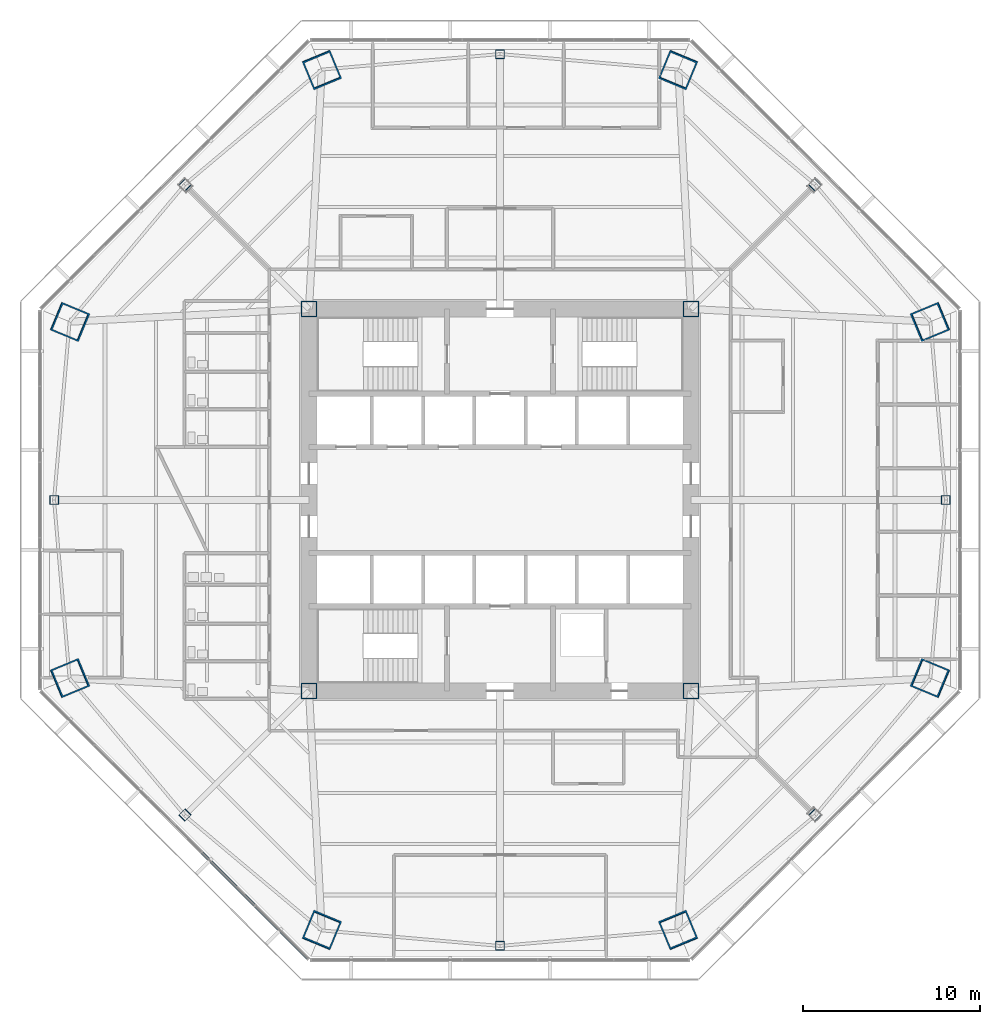
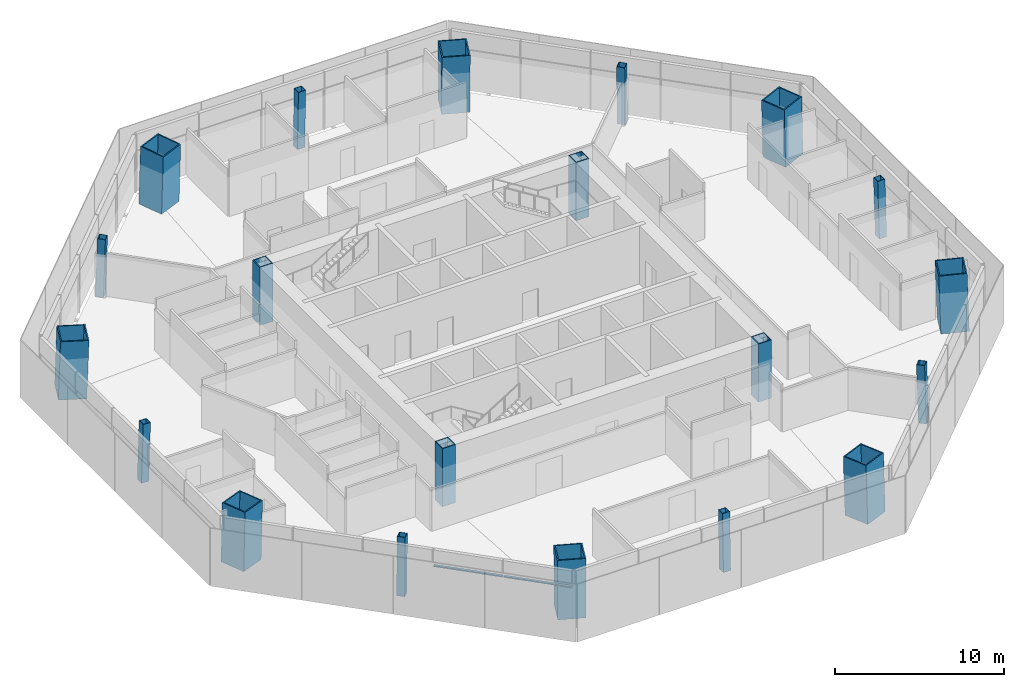
# One storey, part 1 of 15: 20 columns, 2 members, 1 element without a shape of its own.
"""IFC4 building model written with IfcOpenShell, lengths in metres."""

import ifcopenshell
import ifcopenshell.guid

model = None  # the IFC model being written
_history = None  # IfcOwnerHistory: only IFC2X3 demands one
_inside = {}  # id of a spatial element -> (the spatial element, [elements in it])
_under = {}  # id of a project, library or spatial element -> (it, [spatial elements below it])
_declared = {}  # id of a project -> (the project, [libraries it declares])
_typed = {}  # id of a type object -> (the type object, [elements of that type])
_made_of = {}  # id of a material, layer set ... -> (it, [elements and type objects made of it])


def new_model(schema):
    """Start an empty IFC model of exactly this schema.

    Asked for "IFC4X3", IfcOpenShell would pick the latest addendum, in which some entities
    have other attributes; the version numbers below select the first issue.
    IFC2X3 requires an IfcOwnerHistory on every rooted entity: one is made here for all.
    """
    global model, _history
    if schema == "IFC4X3":
        model = ifcopenshell.file(schema_version=(4, 3, 0, 0))
    else:
        model = ifcopenshell.file(schema=schema)
    _inside.clear()
    _under.clear()
    _declared.clear()
    _typed.clear()
    _made_of.clear()
    _history = None
    if model.schema == "IFC2X3":
        org = make("IfcOrganization", Name="unknown")
        user = make(
            "IfcPersonAndOrganization",
            ThePerson=make("IfcPerson", FamilyName="unknown"),
            TheOrganization=org,
        )
        app = make(
            "IfcApplication",
            ApplicationDeveloper=org,
            Version="unknown",
            ApplicationFullName="unknown",
            ApplicationIdentifier="unknown",
        )
        _history = make(
            "IfcOwnerHistory",
            OwningUser=user,
            OwningApplication=app,
            ChangeAction="ADDED",
            CreationDate=0,
        )
    return model


def make(cls, **values):
    """One entity of the class cls with the attributes given. An attribute that is None is left unset."""
    return model.create_entity(
        cls, **{name: value for name, value in values.items() if value is not None}
    )


def rooted(cls, **values):
    """An entity with a GlobalId (a new one), such as an element, a storey or a relation."""
    return make(cls, GlobalId=ifcopenshell.guid.new(), OwnerHistory=_history, **values)


def si_unit(unit_type, name, prefix=None):
    """IfcSIUnit, for example si_unit("LENGTHUNIT", "METRE", prefix="MILLI")."""
    return make("IfcSIUnit", UnitType=unit_type, Prefix=prefix, Name=name)


def assignment(units):
    """IfcUnitAssignment: the units of a project."""
    return None if units is None else make("IfcUnitAssignment", Units=units)


def point(xyz):
    """IfcCartesianPoint."""
    return None if xyz is None else make("IfcCartesianPoint", Coordinates=xyz)


def direction(xyz):
    """IfcDirection."""
    return None if xyz is None else make("IfcDirection", DirectionRatios=xyz)


def frame(location, z_axis=None, x_axis=None):
    """IfcAxis2Placement3D, a coordinate frame: its origin and axes. An axis left out is left unset."""
    return make(
        "IfcAxis2Placement3D",
        Location=point(location),
        Axis=direction(z_axis),
        RefDirection=direction(x_axis),
    )


def frame_2d(location, x_axis=None):
    """IfcAxis2Placement2D, a coordinate frame in the plane: its origin and x axis."""
    return make(
        "IfcAxis2Placement2D", Location=point(location), RefDirection=direction(x_axis)
    )


def origin():
    """The frame at (0, 0, 0) with its axes left unset."""
    return frame((0.0, 0.0, 0.0))


def origin_2d():
    """The frame at (0, 0) in the plane with its x axis left unset."""
    return frame_2d((0.0, 0.0))


def place(relative_to, where):
    """IfcLocalPlacement: puts the frame where relative to a parent placement (None: the world)."""
    return make(
        "IfcLocalPlacement", PlacementRelTo=relative_to, RelativePlacement=where
    )


def context(
    kind, dimensions, precision=None, world=None, true_north=None, identifier=None
):
    """IfcGeometricRepresentationContext, for example the 3D "Model" context."""
    return make(
        "IfcGeometricRepresentationContext",
        ContextIdentifier=identifier,
        ContextType=kind,
        CoordinateSpaceDimension=dimensions,
        Precision=precision,
        WorldCoordinateSystem=world,
        TrueNorth=true_north,
    )


def subcontext(parent, identifier, kind, view, scale=None):
    """IfcGeometricRepresentationSubContext, for example "Body" below "Model"."""
    return make(
        "IfcGeometricRepresentationSubContext",
        ContextIdentifier=identifier,
        ContextType=kind,
        ParentContext=parent,
        TargetScale=scale,
        TargetView=view,
    )


def project(units=None, contexts=None):
    """IfcProject with its units and contexts."""
    return rooted(
        "IfcProject",
        Name="project",
        RepresentationContexts=contexts,
        UnitsInContext=assignment(units),
    )


def spatial(cls, under=None, at=None, **own):
    """A site, building, storey or space (cls), placed at a placement, below another one or the project."""
    s = rooted(cls, ObjectPlacement=at, **own)
    if under is not None:
        _under.setdefault(under.id(), (under, []))[1].append(s)
    return s


def profile(cls, at=None, kind="AREA", **sizes):
    """A parametric profile (cls). Its sizes go by their IFC names, for example OverallWidth=200.0."""
    return make(cls, ProfileType=kind, Position=at, **sizes)


def rectangle(**sizes):
    """IfcRectangleProfileDef."""
    return profile("IfcRectangleProfileDef", **sizes)


def hollow_rectangle(**sizes):
    """IfcRectangleHollowProfileDef."""
    return profile("IfcRectangleHollowProfileDef", **sizes)


def extrude(swept, where, along, depth):
    """IfcExtrudedAreaSolid: the profile swept, set in the frame where, extruded along a direction by depth."""
    return make(
        "IfcExtrudedAreaSolid",
        SweptArea=swept,
        Position=where,
        ExtrudedDirection=direction(along),
        Depth=depth,
    )


def shape(context_of_items, identifier, shape_type, items):
    """IfcShapeRepresentation: the items that make up one representation, for example the "Body"."""
    return make(
        "IfcShapeRepresentation",
        ContextOfItems=context_of_items,
        RepresentationIdentifier=identifier,
        RepresentationType=shape_type,
        Items=items,
    )


def source(mapping_origin, context_of_items, identifier, shape_type, items):
    """IfcRepresentationMap: a shape defined once, which mapped items show again and again."""
    return make(
        "IfcRepresentationMap",
        MappingOrigin=mapping_origin,
        MappedRepresentation=shape(context_of_items, identifier, shape_type, items),
    )


def transform(
    local_origin,
    x_axis=None,
    y_axis=None,
    z_axis=None,
    scale=None,
    scale2=None,
    scale3=None,
    uniform=True,
):
    """IfcCartesianTransformationOperator3D, or its non-uniform kind. x_axis, y_axis, z_axis: its Axis1, 2, 3."""
    if uniform:
        return make(
            "IfcCartesianTransformationOperator3D",
            Axis1=direction(x_axis),
            Axis2=direction(y_axis),
            LocalOrigin=point(local_origin),
            Scale=scale,
            Axis3=direction(z_axis),
        )
    return make(
        "IfcCartesianTransformationOperator3DnonUniform",
        Axis1=direction(x_axis),
        Axis2=direction(y_axis),
        LocalOrigin=point(local_origin),
        Scale=scale,
        Axis3=direction(z_axis),
        Scale2=scale2,
        Scale3=scale3,
    )


def mapped(mapping_source, mapping_target):
    """IfcMappedItem: shows the shape of a source again, moved by a transform."""
    return make(
        "IfcMappedItem", MappingSource=mapping_source, MappingTarget=mapping_target
    )


def material(Name=None, Category=None):
    """IfcMaterial."""
    return make("IfcMaterial", Name=Name, Category=Category)


def material_profile(
    of_material, cross_section, Name=None, Category=None, Priority=None
):
    """IfcMaterialProfile: a cross section and its material."""
    return make(
        "IfcMaterialProfile",
        Name=Name,
        Material=of_material,
        Profile=cross_section,
        Priority=Priority,
        Category=Category,
    )


def profile_set(profiles, Name=None, composite=None):
    """IfcMaterialProfileSet."""
    return make(
        "IfcMaterialProfileSet",
        Name=Name,
        MaterialProfiles=profiles,
        CompositeProfile=composite,
    )


def made_of(thing, what):
    """Note that an element or type object is made of a material, layer set ...; save() writes the relation."""
    if what is not None:
        _made_of.setdefault(what.id(), (what, []))[1].append(thing)
    return thing


def type_object(cls, material=None, **own):
    """A type object (cls), such as IfcWallType, which elements share."""
    return made_of(rooted(cls, **own), material)


def type_shapes(of_type, sources):
    """Give a type object the sources (RepresentationMaps) that its elements show as mapped items."""
    of_type.RepresentationMaps = sources


def element(
    cls,
    number,
    at=None,
    inside=None,
    cuts=None,
    type_object=None,
    material=None,
    context=None,
    identifier="Body",
    shape_type=None,
    held_by="IfcProductDefinitionShape",
    body=None,
    shapes=None,
    **own,
):
    """One element of the class cls, such as IfcWall. Its Tag is "e" and its number.

    at: its placement. inside: the storey or other place that contains it. cuts: it is an
    opening in that element (IfcRelVoidsElement). A single representation is given by context,
    identifier, shape_type and body (its items); several are given by shapes. held_by: the class
    of the entity that holds the representations. save() writes the other relations.
    """
    e = rooted(cls, Tag="e%d" % number, ObjectPlacement=at, **own)
    if body is not None:
        shapes = [shape(context, identifier, shape_type, body)]
    if shapes is not None:
        e.Representation = make(held_by, Representations=shapes)
    if inside is not None:
        _inside.setdefault(inside.id(), (inside, []))[1].append(e)
    if cuts is not None:
        rooted(
            "IfcRelVoidsElement", RelatingBuildingElement=cuts, RelatedOpeningElement=e
        )
    if type_object is not None:
        _typed.setdefault(type_object.id(), (type_object, []))[1].append(e)
    return made_of(e, material)


def aggregate(whole, parts):
    """IfcRelAggregates: a whole, such as a stair, and the parts it consists of."""
    return rooted("IfcRelAggregates", RelatingObject=whole, RelatedObjects=parts)


def save(model, path):
    """Write the relations noted so far, then the file.

    IfcRelAggregates (storeys below a building ...), IfcRelContainedInSpatialStructure (elements
    in a storey), IfcRelDefinesByType, IfcRelAssociatesMaterial and IfcRelDeclares: one each for
    every whole, place, type object, material and project.
    """
    for whole, parts in _under.values():
        aggregate(whole, parts)
    for where, things in _inside.values():
        rooted(
            "IfcRelContainedInSpatialStructure",
            RelatedElements=things,
            RelatingStructure=where,
        )
    for kind, things in _typed.values():
        rooted("IfcRelDefinesByType", RelatedObjects=things, RelatingType=kind)
    for what, things in _made_of.values():
        rooted("IfcRelAssociatesMaterial", RelatedObjects=things, RelatingMaterial=what)
    for by, libraries in _declared.values():
        rooted("IfcRelDeclares", RelatingContext=by, RelatedDefinitions=libraries)
    model.write(path)


model = new_model("IFC4")

# Units and contexts
model_context = context("Model", 3, precision=1e-05, world=origin(), true_north=direction((0.0, 1.0)))
body_context = subcontext(model_context, "Body", "Model", "MODEL_VIEW")
ifc_project = project(units=[si_unit("LENGTHUNIT", "METRE"), si_unit("AREAUNIT", "SQUARE_METRE"), si_unit("VOLUMEUNIT", "CUBIC_METRE"), si_unit("PLANEANGLEUNIT", "RADIAN"), si_unit("MASSUNIT", "GRAM", prefix="KILO")], contexts=[model_context])

# Site, building, storey
site_placement = place(None, origin())
site = spatial("IfcSite", under=ifc_project, at=site_placement, CompositionType="ELEMENT")
building_placement = place(site_placement, origin())
building = spatial("IfcBuilding", under=site, at=building_placement, Name="Mashrafa Tower", CompositionType="ELEMENT")
storey_placement = place(building_placement, frame((0.0, 0.0, 70.800048828125)))
storey = spatial("IfcBuildingStorey", under=building, at=storey_placement, Name="L15", CompositionType="ELEMENT", Elevation=70.800048828125)

# Columns
ifc_material_1 = material(Name="Steel ASTM A572 Gr 50", Category="steel")
ifc_material_profile_1 = material_profile(ifc_material_1, hollow_rectangle(XDim=0.89990234375, YDim=0.89990234375, WallThickness=0.06005859375, at=origin_2d()), Name="BOX900X900X60")
ifc_profile_set_1 = profile_set([ifc_material_profile_1], Name="Steel ASTM A572 Gr 50")
column_type_1 = type_object("IfcColumnType", Name="Core corner column BOX900X900X60", PredefinedType="COLUMN", material=ifc_profile_set_1)
for number, where, z_axis, x_axis, name in (
    (1, (10.800048828125, 10.800048828125, 0.0), (0.0, 0.0, 1.0), (1.0, 0.0, 0.0), "Core corner column CC-NE L15"),
    (2, (-10.800048828125, 10.800048828125, 0.0), (0.0, 0.0, 1.0), (1.0, 0.0, 0.0), "Core corner column CC-NW L15"),
    (3, (-10.800048828125, -10.800048828125, 0.0), (0.0, 0.0, 1.0), (1.0, 0.0, 0.0), "Core corner column CC-SW L15"),
    (4, (10.800048828125, -10.800048828125, 0.0), (0.0, 0.0, 1.0), (1.0, 0.0, 0.0), "Core corner column CC-SE L15"),
):
    element("IfcColumn", number, at=place(storey_placement, frame(where, z_axis=z_axis, x_axis=x_axis)), inside=storey, type_object=column_type_1, Name=name, PredefinedType="COLUMN", context=body_context, shape_type="SweptSolid", body=[
        extrude(hollow_rectangle(XDim=0.89990234375, YDim=0.89990234375, WallThickness=0.06005859375, at=origin_2d()), origin(), (0.0, 0.0, 1.0), 4.199951171875),
    ])
ifc_material_2 = material(Name="Steel ASTM A572 Gr 50", Category="steel")
ifc_material_profile_2 = material_profile(ifc_material_2, hollow_rectangle(XDim=1.699951171875, YDim=1.699951171875, WallThickness=0.080078125, at=origin_2d()), Name="BOX1700X1700X80")
ifc_profile_set_2 = profile_set([ifc_material_profile_2], Name="Steel ASTM A572 Gr 50")
column_type_2 = type_object("IfcColumnType", Name="Mega column CFST BOX1700X1700X80", PredefinedType="COLUMN", material=ifc_profile_set_2)
for number, where, z_axis, x_axis, name in (
    (5, (24.333740234375, 10.079345703125, 0.0), (-0.028295730207, -0.011736627314, 0.99953069149), (0.383133442967, -0.923693003589, 0.0), "Mega column MC1 L15"),
    (6, (10.079345703125, 24.333740234375, 0.0), (-0.011736627314, -0.028295730207, 0.99953069149), (0.923693003589, -0.383133442967, 0.0), "Mega column MC2 L15"),
    (7, (-10.079345703125, 24.333740234375, 0.0), (0.011736627314, -0.028295730207, 0.99953069149), (0.923693003589, 0.383133442967, 0.0), "Mega column MC3 L15"),
    (8, (-24.333740234375, 10.079345703125, 0.0), (0.028295730207, -0.011736627314, 0.99953069149), (0.383133442967, 0.923693003589, 0.0), "Mega column MC4 L15"),
    (9, (-24.333740234375, -10.079345703125, 0.0), (0.028295730207, 0.011736627314, 0.99953069149), (-0.383133442967, 0.923693003589, 0.0), "Mega column MC5 L15"),
    (10, (-10.079345703125, -24.333740234375, 0.0), (0.011736627314, 0.028295730207, 0.99953069149), (-0.923693003589, 0.383133442967, 0.0), "Mega column MC6 L15"),
    (11, (10.079345703125, -24.333740234375, 0.0), (-0.011736627314, 0.028295730207, 0.99953069149), (-0.923693003589, -0.383133442967, 0.0), "Mega column MC7 L15"),
    (12, (24.333740234375, -10.079345703125, 0.0), (-0.028295730207, 0.011736627314, 0.99953069149), (-0.383133442967, -0.923693003589, 0.0), "Mega column MC8 L15"),
):
    element("IfcColumn", number, at=place(storey_placement, frame(where, z_axis=z_axis, x_axis=x_axis)), inside=storey, type_object=column_type_2, Name=name, PredefinedType="COLUMN", context=body_context, shape_type="SweptSolid", body=[
        extrude(hollow_rectangle(XDim=1.699951171875, YDim=1.699951171875, WallThickness=0.080078125, at=origin_2d()), origin(), (0.0, 0.0, 1.0), 4.201904296875),
    ])
ifc_material_3 = material(Name="Steel ASTM A572 Gr 50", Category="steel")
ifc_material_profile_3 = material_profile(ifc_material_3, hollow_rectangle(XDim=0.5, YDim=0.5, WallThickness=0.02490234375, at=origin_2d()), Name="BOX500X500X25")
ifc_profile_set_3 = profile_set([ifc_material_profile_3], Name="Steel ASTM A572 Gr 50")
column_type_3 = type_object("IfcColumnType", Name="Secondary column BOX500X500X25", PredefinedType="COLUMN", material=ifc_profile_set_3)
for number, where, z_axis, x_axis, name in (
    (13, (25.2119140625, 0.0, 0.0), (-0.028297679255, 0.0, 0.99959954049), (0.0, -1.0, 0.0), "Secondary column SC1 L15"),
    (14, (17.827392578125, 17.827392578125, 0.0), (-0.019988521213, -0.019988521213, 0.999600379171), (0.707106781187, -0.707106781187, 0.0), "Secondary column SC2 L15"),
    (15, (0.0, 25.2119140625, 0.0), (0.0, -0.028297679255, 0.99959954049), (1.0, 0.0, 0.0), "Secondary column SC3 L15"),
    (16, (-17.827392578125, 17.827392578125, 0.0), (0.019988521213, -0.019988521213, 0.999600379171), (0.707106781187, 0.707106781187, 0.0), "Secondary column SC4 L15"),
    (17, (-25.2119140625, 0.0, 0.0), (0.028297679255, 0.0, 0.99959954049), (0.0, 1.0, 0.0), "Secondary column SC5 L15"),
    (18, (-17.827392578125, -17.827392578125, 0.0), (0.019988521213, 0.019988521213, 0.999600379171), (-0.707106781187, 0.707106781187, 0.0), "Secondary column SC6 L15"),
    (19, (0.0, -25.2119140625, 0.0), (0.0, 0.028297679255, 0.99959954049), (-1.0, 0.0, 0.0), "Secondary column SC7 L15"),
    (20, (17.827392578125, -17.827392578125, 0.0), (-0.019988521213, 0.019988521213, 0.999600379171), (-0.707106781187, -0.707106781187, 0.0), "Secondary column SC8 L15"),
):
    element("IfcColumn", number, at=place(storey_placement, frame(where, z_axis=z_axis, x_axis=x_axis)), inside=storey, type_object=column_type_3, Name=name, PredefinedType="COLUMN", context=body_context, shape_type="SweptSolid", body=[
        extrude(hollow_rectangle(XDim=0.5, YDim=0.5, WallThickness=0.02490234375, at=origin_2d()), origin(), (0.0, 0.0, 1.0), 4.20166015625),
    ])

# Curtain wall, members
ifc_material_4 = material(Name="Unitised aluminium curtain wall", Category="aluminium")
curtain_wall_type = type_object("IfcCurtainWallType", Name="Office curtain wall, zone 1 CW-A 200 deep", PredefinedType="NOTDEFINED", material=ifc_material_4)
curtain_wall_placement = place(storey_placement, origin())
curtain_wall = element("IfcCurtainWall", 21, at=curtain_wall_placement, inside=storey, type_object=curtain_wall_type, Name="Office curtain wall, zone 1 L15 south-west", PredefinedType="NOTDEFINED")
ifc_material_5 = material(Name="Extruded aluminium transom", Category="aluminium")
ifc_material_profile_4 = material_profile(ifc_material_5, rectangle(XDim=0.159912109375, YDim=0.080078125, at=origin_2d()), Name="Transom 80x160")
ifc_profile_set_4 = profile_set([ifc_material_profile_4], Name="Extruded aluminium transom")
member_type = type_object("IfcMemberType", Name="Transom CW-A 80 x 160", PredefinedType="MULLION", material=ifc_profile_set_4)
shared_shape_1 = source(origin(), body_context, "Body", "SweptSolid", [
    extrude(rectangle(XDim=0.159912109375, YDim=0.080078125, at=origin_2d()), origin(), (0.0, 0.0, 1.0), 4.191650390625),
])
member_1_placement = place(storey_placement, frame((-13.82080078125, -22.965576171875, 3.0), z_axis=(0.707135902401, -0.707077658772, 0.0), x_axis=(0.707077658772, 0.707135902401, 0.0)))
member_1 = element("IfcMember", 22, at=member_1_placement, type_object=member_type, Name="CW-A transom 5", PredefinedType="MULLION", context=body_context, shape_type="MappedRepresentation", body=[
    mapped(shared_shape_1, transform((0.0, 0.0, 0.0))),
])
shared_shape_2 = source(origin(), body_context, "Body", "SweptSolid", [
    extrude(rectangle(XDim=0.159912109375, YDim=0.080078125, at=origin_2d()), origin(), (0.0, 0.0, 1.0), 4.224365234375),
])
type_shapes(member_type, [shared_shape_1, shared_shape_2])
member_2_placement = place(storey_placement, frame((-16.853759765625, -19.9326171875, 3.0), z_axis=(0.707106781187, -0.707106781187, 0.0), x_axis=(0.707106781187, 0.707106781187, 0.0)))
member_2 = element("IfcMember", 23, at=member_2_placement, type_object=member_type, Name="CW-A transom 4", PredefinedType="MULLION", context=body_context, shape_type="MappedRepresentation", body=[
    mapped(shared_shape_2, transform((0.0, 0.0, 0.0))),
])
aggregate(curtain_wall, [member_2, member_1])

save(model, "model.ifc")
